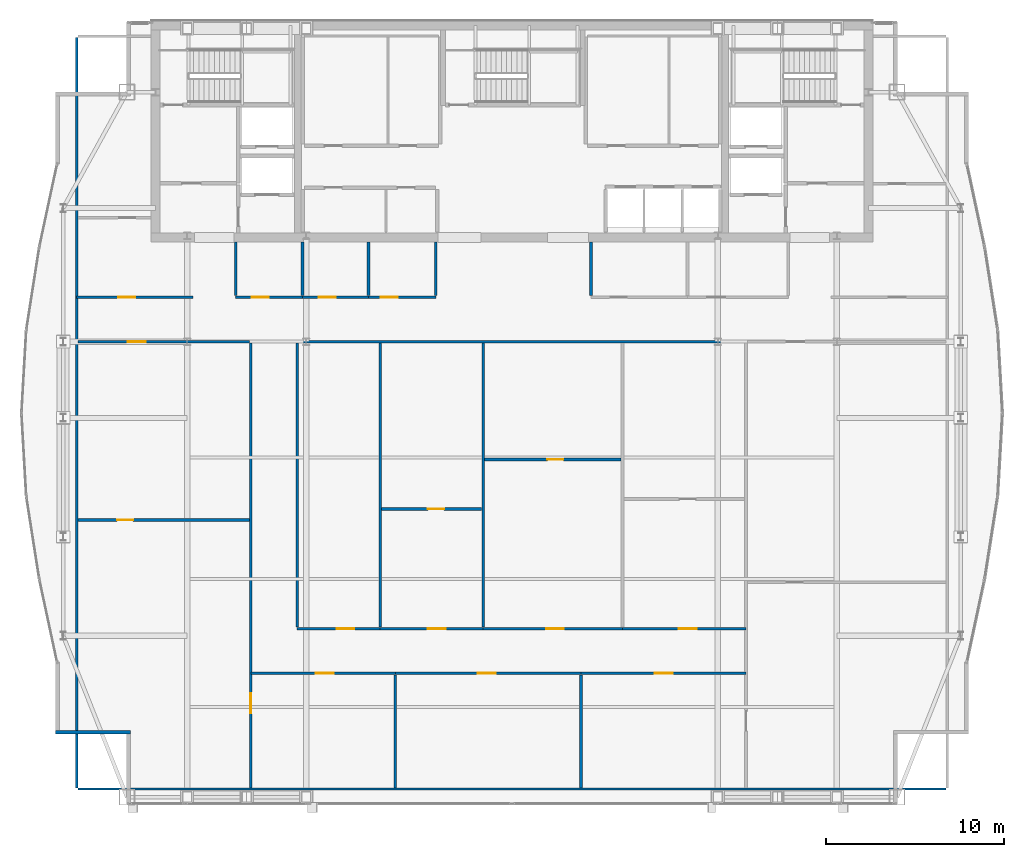
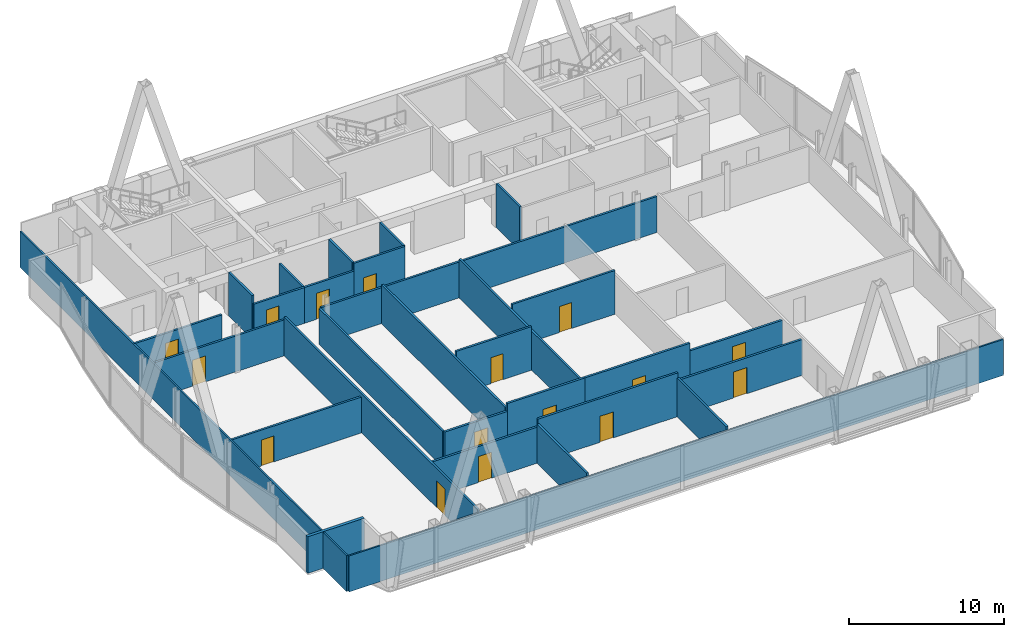
# One storey, part 24 of 29: 30 walls, 16 doors, 16 openings.
"""IFC4 building model written with IfcOpenShell, lengths in metres."""

from ifc_helpers import new_model, si_unit, direction, frame, frame_2d, origin, place, context, subcontext, project, spatial, rectangle, extrude, material, layer, layer_set, type_object, element, fill, save


model = new_model("IFC4")

# Units and contexts
model_context = context("Model", 3, precision=1e-05, world=origin(), true_north=direction((0.0, 1.0)))
body_context = subcontext(model_context, "Body", "Model", "MODEL_VIEW")
ifc_project = project(units=[si_unit("LENGTHUNIT", "METRE"), si_unit("AREAUNIT", "SQUARE_METRE"), si_unit("VOLUMEUNIT", "CUBIC_METRE"), si_unit("PLANEANGLEUNIT", "RADIAN"), si_unit("MASSUNIT", "GRAM", prefix="KILO")], contexts=[model_context])

# Site, building, storey
site_placement = place(None, origin())
site = spatial("IfcSite", under=ifc_project, at=site_placement, CompositionType="ELEMENT")
building_placement = place(site_placement, origin())
building = spatial("IfcBuilding", under=site, at=building_placement, Name="Khoronbel Lancet Exchange", CompositionType="ELEMENT")
storey_placement = place(building_placement, frame((0.0, 0.0, 314.60009765625)))
storey = spatial("IfcBuildingStorey", under=building, at=storey_placement, Name="L81", CompositionType="ELEMENT", Elevation=314.60009765625)

# Walls
ifc_material_1 = material(Name="Precast concrete C40/50", Category="concrete")
ifc_layer_1 = layer(ifc_material_1, 0.25, Name="Precast concrete C40/50")
ifc_layer_set_1 = layer_set([ifc_layer_1], Name="Precast concrete C40/50")
wall_type_1 = type_object("IfcWallType", Name="WL-EXT250", PredefinedType="SOLIDWALL", material=ifc_layer_set_1)
wall_1_placement = place(storey_placement, frame((15.050048828125, 13.7900390625, 0.0), z_axis=(0.0, 0.0, 1.0), x_axis=(-1.0, 0.0, 0.0)))
element("IfcWall", 1, at=wall_1_placement, inside=storey, type_object=wall_type_1, Name="Level L81 notched-corner limestone pier 02", PredefinedType="SOLIDWALL", context=body_context, shape_type="SweptSolid", body=[
    extrude(rectangle(XDim=4.219970703125, YDim=0.219970703125, at=frame_2d((2.10986328125, 0.0))), origin(), (0.0, 0.0, 1.0), 2.8798828125),
])
ifc_material_2 = material(Name="Acoustic Metal-Stud & Mineral-Wool Gypsum Partition 120 mm", Category="gypsum")
ifc_layer_2 = layer(ifc_material_2, 0.1201171875, Name="Acoustic Metal-Stud & Mineral-Wool Gypsum Partition 120 mm")
ifc_layer_set_2 = layer_set([ifc_layer_2], Name="Acoustic Metal-Stud & Mineral-Wool Gypsum Partition 120 mm")
wall_type_2 = type_object("IfcWallType", Name="WL-PRT120", PredefinedType="PARTITIONING", material=ifc_layer_set_2)
wall_2_placement = place(storey_placement, frame((20.949951171875, 38.280029296875, 0.0), z_axis=(0.0, 0.0, 1.0), x_axis=(0.0, 1.0, 0.0)))
element("IfcWall", 2, at=wall_2_placement, inside=storey, type_object=wall_type_2, Name="Level L81 interior partition PW-WC-0", PredefinedType="PARTITIONING", context=body_context, shape_type="SweptSolid", body=[
    extrude(rectangle(XDim=3.02001953125, YDim=0.14990234375, at=frame_2d((1.510009765625, 0.0))), origin(), (0.0, 0.0, 1.0), 3.43994140625),
])
wall_3_placement = place(storey_placement, frame((24.699951171875, 38.280029296875, 0.0), z_axis=(0.0, 0.0, 1.0), x_axis=(0.0, 1.0, 0.0)))
element("IfcWall", 3, at=wall_3_placement, inside=storey, type_object=wall_type_2, Name="Level L81 interior partition PW-WC-1", PredefinedType="PARTITIONING", context=body_context, shape_type="SweptSolid", body=[
    extrude(rectangle(XDim=3.02001953125, YDim=0.14990234375, at=frame_2d((1.510009765625, 0.0))), origin(), (0.0, 0.0, 1.0), 2.829833984375),
])
for number, where, z_axis, x_axis, name in (
    (4, (28.39990234375, 38.280029296875, 0.0), (0.0, 0.0, 1.0), (0.0, 1.0, 0.0), "Level L81 interior partition PW-WC-2"),
    (5, (32.179931640625, 38.280029296875, 0.0), (0.0, 0.0, 1.0), (0.0, 1.0, 0.0), "Level L81 interior partition PW-WC-3"),
    (6, (40.8798828125, 38.280029296875, 0.0), (0.0, 0.0, 1.0), (0.0, 1.0, 0.0), "Level L81 interior partition PW-NP-0"),
):
    element("IfcWall", number, at=place(storey_placement, frame(where, z_axis=z_axis, x_axis=x_axis)), inside=storey, type_object=wall_type_2, Name=name, PredefinedType="PARTITIONING", context=body_context, shape_type="SweptSolid", body=[
        extrude(rectangle(XDim=3.02001953125, YDim=0.14990234375, at=frame_2d((1.510009765625, 0.0))), origin(), (0.0, 0.0, 1.0), 3.43994140625),
    ])

# Wall, opening, door
wall_4_placement = place(storey_placement, frame((12.094970703125, 25.699951171875, 0.0), z_axis=(0.0, 0.0, 1.0), x_axis=(1.0, 0.0, 0.0)))
wall_4 = element("IfcWall", 7, at=wall_4_placement, inside=storey, type_object=wall_type_2, Name="Level L81 interior partition PW-Z4-WH", PredefinedType="PARTITIONING", context=body_context, shape_type="SweptSolid", body=[
    extrude(rectangle(XDim=9.625, YDim=0.14990234375, at=frame_2d((4.8125, 0.0))), origin(), (0.0, 0.0, 1.0), 2.829833984375),
])
opening_1_placement = place(wall_4_placement, frame((2.199951171875, 0.0, 0.0)))
opening_1 = element("IfcOpeningElement", 8, at=opening_1_placement, cuts=wall_4, Name="Opening D5", PredefinedType="OPENING", context=body_context, shape_type="SweptSolid", body=[
    extrude(rectangle(XDim=0.89990234375, YDim=2.050048828125, at=frame_2d((0.449951171875, 1.02490234375))), frame((0.0, 0.0849609375, 0.0), z_axis=(0.0, -1.0, 0.0), x_axis=(1.0, 0.0, 0.0)), (0.0, 0.0, 1.0), 0.169921875),
])
ifc_material_3 = material(Name="Acoustic Timber Pantry & Support Door", Category="wood")
door_type_1 = type_object("IfcDoorType", Name="DR-D5", OperationType="NOTDEFINED", PredefinedType="DOOR", material=ifc_material_3)
door_1_placement = place(opening_1_placement, origin())
door_1 = element("IfcDoor", 9, at=door_1_placement, inside=storey, type_object=door_type_1, Name="West lens inner door L81-1", OperationType="SINGLE_SWING_RIGHT", OverallHeight=2.050048828125, OverallWidth=0.89990234375, PredefinedType="DOOR", context=body_context, shape_type="SweptSolid", body=[
    extrude(rectangle(XDim=0.89990234375, YDim=2.050048828125, at=frame_2d((0.449951171875, 1.02490234375))), frame((0.0, 0.02490234375, 0.0), z_axis=(0.0, -1.0, 0.0), x_axis=(1.0, 0.0, 0.0)), (0.0, 0.0, 1.0), 0.050048828125),
])
fill(opening_1, door_1)

wall_5_placement = place(storey_placement, frame((29.13623046875, 26.317138671875, 0.0), z_axis=(0.0, 0.0, 1.0), x_axis=(1.0, 0.0, 0.0)))
wall_5 = element("IfcWall", 10, at=wall_5_placement, inside=storey, type_object=wall_type_2, Name="Level L81 interior partition PW-Z4C-H2", PredefinedType="PARTITIONING", context=body_context, shape_type="SweptSolid", body=[
    extrude(rectangle(XDim=5.615234375, YDim=0.14990234375, at=frame_2d((2.8076171875, 0.0))), origin(), (0.0, 0.0, 1.0), 3.43994140625),
])
opening_2_placement = place(wall_5_placement, frame((2.598876953125, 0.0, 0.0)))
opening_2 = element("IfcOpeningElement", 11, at=opening_2_placement, cuts=wall_5, Name="Opening D5", PredefinedType="OPENING", context=body_context, shape_type="SweptSolid", body=[
    extrude(rectangle(XDim=0.89990234375, YDim=2.050048828125, at=frame_2d((0.449951171875, 1.02490234375))), frame((0.0, 0.0849609375, 0.0), z_axis=(0.0, -1.0, 0.0), x_axis=(1.0, 0.0, 0.0)), (0.0, 0.0, 1.0), 0.169921875),
])
door_2_placement = place(opening_2_placement, origin())
door_2 = element("IfcDoor", 12, at=door_2_placement, inside=storey, type_object=door_type_1, Name="Z4C inner door 2 L81-1", OperationType="SINGLE_SWING_RIGHT", OverallHeight=2.050048828125, OverallWidth=0.89990234375, PredefinedType="DOOR", context=body_context, shape_type="SweptSolid", body=[
    extrude(rectangle(XDim=0.89990234375, YDim=2.050048828125, at=frame_2d((0.449951171875, 1.02490234375))), frame((0.0, 0.02490234375, 0.0), z_axis=(0.0, -1.0, 0.0), x_axis=(1.0, 0.0, 0.0)), (0.0, 0.0, 1.0), 0.050048828125),
])
fill(opening_2, door_2)

wall_6_placement = place(storey_placement, frame((34.91162109375, 29.090087890625, 0.0), z_axis=(0.0, 0.0, 1.0), x_axis=(1.0, 0.0, 0.0)))
wall_6 = element("IfcWall", 13, at=wall_6_placement, inside=storey, type_object=wall_type_2, Name="Level L81 interior partition PW-Z4C-H3", PredefinedType="PARTITIONING", context=body_context, shape_type="SweptSolid", body=[
    extrude(rectangle(XDim=7.657958984375, YDim=0.14990234375, at=frame_2d((3.8291015625, 0.0))), origin(), (0.0, 0.0, 1.0), 3.43994140625),
])
opening_3_placement = place(wall_6_placement, frame((3.518310546875, 0.0, 0.0)))
opening_3 = element("IfcOpeningElement", 14, at=opening_3_placement, cuts=wall_6, Name="Opening D5", PredefinedType="OPENING", context=body_context, shape_type="SweptSolid", body=[
    extrude(rectangle(XDim=0.89990234375, YDim=2.050048828125, at=frame_2d((0.449951171875, 1.02490234375))), frame((0.0, 0.0849609375, 0.0), z_axis=(0.0, -1.0, 0.0), x_axis=(1.0, 0.0, 0.0)), (0.0, 0.0, 1.0), 0.169921875),
])
door_3_placement = place(opening_3_placement, origin())
door_3 = element("IfcDoor", 15, at=door_3_placement, inside=storey, type_object=door_type_1, Name="Z4C inner door 3 L81-1", OperationType="SINGLE_SWING_RIGHT", OverallHeight=2.050048828125, OverallWidth=0.89990234375, PredefinedType="DOOR", context=body_context, shape_type="SweptSolid", body=[
    extrude(rectangle(XDim=0.89990234375, YDim=2.050048828125, at=frame_2d((0.449951171875, 1.02490234375))), frame((0.0, 0.02490234375, 0.0), z_axis=(0.0, -1.0, 0.0), x_axis=(1.0, 0.0, 0.0)), (0.0, 0.0, 1.0), 0.050048828125),
])
fill(opening_3, door_3)

# Walls
wall_7_placement = place(storey_placement, frame((12.030029296875, 10.6650390625, 0.0), z_axis=(0.0, 0.0, 1.0), x_axis=(0.0, 1.0, 0.0)))
element("IfcWall", 16, at=wall_7_placement, inside=storey, type_object=wall_type_2, Name="Level L81 interior partition PW-LIN-W", PredefinedType="PARTITIONING", context=body_context, shape_type="SweptSolid", body=[
    extrude(rectangle(XDim=42.10986328125, YDim=0.1201171875, at=frame_2d((21.054931640625, 0.0))), origin(), (0.0, 0.0, 1.0), 2.829833984375),
])
wall_8_placement = place(storey_placement, frame((12.094970703125, 10.60009765625, 0.0), z_axis=(0.0, 0.0, 1.0), x_axis=(1.0, 0.0, 0.0)))
element("IfcWall", 17, at=wall_8_placement, inside=storey, type_object=wall_type_2, Name="Level L81 interior partition PW-LIN-S", PredefinedType="PARTITIONING", context=body_context, shape_type="SweptSolid", body=[
    extrude(rectangle(XDim=48.7099609375, YDim=0.1201171875, at=frame_2d((24.35498046875, 0.0))), origin(), (0.0, 0.0, 1.0), 2.829833984375),
])

# Wall, opening, door
ifc_material_4 = material(Name="Fire-Rated Twin-Stud Acoustic Gypsum Partition 150 mm", Category="gypsum")
ifc_layer_3 = layer(ifc_material_4, 0.14990234375, Name="Fire-Rated Twin-Stud Acoustic Gypsum Partition 150 mm")
ifc_layer_set_3 = layer_set([ifc_layer_3], Name="Fire-Rated Twin-Stud Acoustic Gypsum Partition 150 mm")
wall_type_3 = type_object("IfcWallType", Name="WL-PRT150C", PredefinedType="PARTITIONING", material=ifc_layer_set_3)
wall_9_placement = place(storey_placement, frame((20.949951171875, 38.199951171875, 0.0), z_axis=(0.0, 0.0, 1.0), x_axis=(1.0, 0.0, 0.0)))
wall_9 = element("IfcWall", 18, at=wall_9_placement, inside=storey, type_object=wall_type_3, Name="Level L81 interior partition PW-WC-S1", PredefinedType="PARTITIONING", context=body_context, shape_type="SweptSolid", body=[
    extrude(rectangle(XDim=3.75, YDim=0.14990234375, at=frame_2d((1.875, 0.0))), origin(), (0.0, 0.0, 1.0), 2.829833984375),
])
opening_4_placement = place(wall_9_placement, frame((0.89990234375, 0.0, 0.0)))
opening_4 = element("IfcOpeningElement", 19, at=opening_4_placement, cuts=wall_9, Name="Opening D4", PredefinedType="OPENING", context=body_context, shape_type="SweptSolid", body=[
    extrude(rectangle(XDim=0.949951171875, YDim=2.050048828125, at=frame_2d((0.47509765625, 1.02490234375))), frame((0.0, 0.0849609375, 0.0), z_axis=(0.0, -1.0, 0.0), x_axis=(1.0, 0.0, 0.0)), (0.0, 0.0, 1.0), 0.169921875),
])
ifc_material_5 = material(Name="Moisture-Resistant HPL Washroom Door", Category="wood")
door_type_2 = type_object("IfcDoorType", Name="DR-D4", OperationType="NOTDEFINED", PredefinedType="DOOR", material=ifc_material_5)
door_4_placement = place(opening_4_placement, origin())
door_4 = element("IfcDoor", 20, at=door_4_placement, inside=storey, type_object=door_type_2, Name="Male washroom door L81-1", OperationType="SINGLE_SWING_LEFT", OverallHeight=2.050048828125, OverallWidth=0.949951171875, PredefinedType="DOOR", context=body_context, shape_type="SweptSolid", body=[
    extrude(rectangle(XDim=0.949951171875, YDim=2.050048828125, at=frame_2d((0.47509765625, 1.02490234375))), frame((0.0, 0.02490234375, 0.0), z_axis=(0.0, -1.0, 0.0), x_axis=(1.0, 0.0, 0.0)), (0.0, 0.0, 1.0), 0.050048828125),
])
fill(opening_4, door_4)

wall_10_placement = place(storey_placement, frame((24.699951171875, 38.199951171875, 0.0), z_axis=(0.0, 0.0, 1.0), x_axis=(1.0, 0.0, 0.0)))
wall_10 = element("IfcWall", 21, at=wall_10_placement, inside=storey, type_object=wall_type_3, Name="Level L81 interior partition PW-WC-S2", PredefinedType="PARTITIONING", context=body_context, shape_type="SweptSolid", body=[
    extrude(rectangle(XDim=3.699951171875, YDim=0.14990234375, at=frame_2d((1.85009765625, 0.0))), origin(), (0.0, 0.0, 1.0), 2.829833984375),
])
opening_5_placement = place(wall_10_placement, frame((0.89990234375, 0.0, 0.0)))
opening_5 = element("IfcOpeningElement", 22, at=opening_5_placement, cuts=wall_10, Name="Opening D4", PredefinedType="OPENING", context=body_context, shape_type="SweptSolid", body=[
    extrude(rectangle(XDim=0.949951171875, YDim=2.050048828125, at=frame_2d((0.47509765625, 1.02490234375))), frame((0.0, 0.0849609375, 0.0), z_axis=(0.0, -1.0, 0.0), x_axis=(1.0, 0.0, 0.0)), (0.0, 0.0, 1.0), 0.169921875),
])
door_5_placement = place(opening_5_placement, origin())
door_5 = element("IfcDoor", 23, at=door_5_placement, inside=storey, type_object=door_type_2, Name="Female washroom door L81-1", OperationType="SINGLE_SWING_RIGHT", OverallHeight=2.050048828125, OverallWidth=0.949951171875, PredefinedType="DOOR", context=body_context, shape_type="SweptSolid", body=[
    extrude(rectangle(XDim=0.949951171875, YDim=2.050048828125, at=frame_2d((0.47509765625, 1.02490234375))), frame((0.0, 0.02490234375, 0.0), z_axis=(0.0, -1.0, 0.0), x_axis=(1.0, 0.0, 0.0)), (0.0, 0.0, 1.0), 0.050048828125),
])
fill(opening_5, door_5)

wall_11_placement = place(storey_placement, frame((28.39990234375, 38.199951171875, 0.0), z_axis=(0.0, 0.0, 1.0), x_axis=(1.0, 0.0, 0.0)))
wall_11 = element("IfcWall", 24, at=wall_11_placement, inside=storey, type_object=wall_type_3, Name="Level L81 interior partition PW-WC-S3", PredefinedType="PARTITIONING", context=body_context, shape_type="SweptSolid", body=[
    extrude(rectangle(XDim=3.780029296875, YDim=0.14990234375, at=frame_2d((1.89013671875, 0.0))), origin(), (0.0, 0.0, 1.0), 3.43994140625),
])
opening_6_placement = place(wall_11_placement, frame((0.699951171875, 0.0, 0.0)))
opening_6 = element("IfcOpeningElement", 25, at=opening_6_placement, cuts=wall_11, Name="Opening D4", PredefinedType="OPENING", context=body_context, shape_type="SweptSolid", body=[
    extrude(rectangle(XDim=0.949951171875, YDim=2.050048828125, at=frame_2d((0.47509765625, 1.02490234375))), frame((0.0, 0.0849609375, 0.0), z_axis=(0.0, -1.0, 0.0), x_axis=(1.0, 0.0, 0.0)), (0.0, 0.0, 1.0), 0.169921875),
])
door_6_placement = place(opening_6_placement, origin())
door_6 = element("IfcDoor", 26, at=door_6_placement, inside=storey, type_object=door_type_2, Name="Accessible WC door L81-1", OperationType="SINGLE_SWING_LEFT", OverallHeight=2.050048828125, OverallWidth=0.949951171875, PredefinedType="DOOR", context=body_context, shape_type="SweptSolid", body=[
    extrude(rectangle(XDim=0.949951171875, YDim=2.050048828125, at=frame_2d((0.47509765625, 1.02490234375))), frame((0.0, 0.02490234375, 0.0), z_axis=(0.0, -1.0, 0.0), x_axis=(1.0, 0.0, 0.0)), (0.0, 0.0, 1.0), 0.050048828125),
])
fill(opening_6, door_6)

wall_12_placement = place(storey_placement, frame((12.030029296875, 38.199951171875, 0.0), z_axis=(0.0, 0.0, 1.0), x_axis=(1.0, 0.0, 0.0)))
wall_12 = element("IfcWall", 27, at=wall_12_placement, inside=storey, type_object=wall_type_3, Name="Level L81 interior partition PW-NW-S", PredefinedType="PARTITIONING", context=body_context, shape_type="SweptSolid", body=[
    extrude(rectangle(XDim=6.52001953125, YDim=0.14990234375, at=frame_2d((3.260009765625, 0.0))), origin(), (0.0, 0.0, 1.0), 2.829833984375),
])
opening_7_placement = place(wall_12_placement, frame((2.320068359375, 0.0, 0.0)))
opening_7 = element("IfcOpeningElement", 28, at=opening_7_placement, cuts=wall_12, Name="Opening D1", PredefinedType="OPENING", context=body_context, shape_type="SweptSolid", body=[
    extrude(rectangle(XDim=0.949951171875, YDim=2.050048828125, at=frame_2d((0.47509765625, 1.02490234375))), frame((0.0, 0.0849609375, 0.0), z_axis=(0.0, -1.0, 0.0), x_axis=(1.0, 0.0, 0.0)), (0.0, 0.0, 1.0), 0.169921875),
])
ifc_material_6 = material(Name="Acoustic Veneered Timber & Bronze Frame Door", Category="wood")
door_type_3 = type_object("IfcDoorType", Name="DR-D1", OperationType="NOTDEFINED", PredefinedType="DOOR", material=ifc_material_6)
door_7_placement = place(opening_7_placement, origin())
door_7 = element("IfcDoor", 29, at=door_7_placement, inside=storey, type_object=door_type_3, Name="NW corner room door L81-1", OperationType="SINGLE_SWING_RIGHT", OverallHeight=2.050048828125, OverallWidth=0.949951171875, PredefinedType="DOOR", context=body_context, shape_type="SweptSolid", body=[
    extrude(rectangle(XDim=0.949951171875, YDim=2.050048828125, at=frame_2d((0.47509765625, 1.02490234375))), frame((0.0, 0.02490234375, 0.0), z_axis=(0.0, -1.0, 0.0), x_axis=(1.0, 0.0, 0.0)), (0.0, 0.0, 1.0), 0.050048828125),
])
fill(opening_7, door_7)

wall_13_placement = place(storey_placement, frame((21.800048828125, 10.6650390625, 0.0), z_axis=(0.0, 0.0, 1.0), x_axis=(0.0, 1.0, 0.0)))
wall_13 = element("IfcWall", 30, at=wall_13_placement, inside=storey, type_object=wall_type_3, Name="Level L81 interior partition PW-Z4-WW", PredefinedType="PARTITIONING", context=body_context, shape_type="SweptSolid", body=[
    extrude(rectangle(XDim=24.955078125, YDim=0.14990234375, at=frame_2d((12.4775390625, 0.0))), origin(), (0.0, 0.0, 1.0), 3.06982421875),
])
opening_8_placement = place(wall_13_placement, frame((4.199951171875, 0.0, 0.0)))
opening_8 = element("IfcOpeningElement", 31, at=opening_8_placement, cuts=wall_13, Name="Opening D6", PredefinedType="OPENING", context=body_context, shape_type="SweptSolid", body=[
    extrude(rectangle(XDim=1.10009765625, YDim=2.10009765625, at=frame_2d((0.550048828125, 1.050048828125))), frame((0.0, 0.0849609375, 0.0), z_axis=(0.0, -1.0, 0.0), x_axis=(1.0, 0.0, 0.0)), (0.0, 0.0, 1.0), 0.169921875),
])
ifc_material_7 = material(Name="Acoustic Bronze-Veneer Executive Suite Door", Category="wood")
door_type_4 = type_object("IfcDoorType", Name="DR-D6", OperationType="NOTDEFINED", PredefinedType="DOOR", material=ifc_material_7)
door_8_placement = place(opening_8_placement, origin())
door_8 = element("IfcDoor", 32, at=door_8_placement, inside=storey, type_object=door_type_4, Name="West lens presidential door L81-1", OperationType="SINGLE_SWING_RIGHT", OverallHeight=2.10009765625, OverallWidth=1.10009765625, PredefinedType="DOOR", context=body_context, shape_type="SweptSolid", body=[
    extrude(rectangle(XDim=1.10009765625, YDim=2.10009765625, at=frame_2d((0.550048828125, 1.050048828125))), frame((0.0, 0.02490234375, 0.0), z_axis=(0.0, -1.0, 0.0), x_axis=(1.0, 0.0, 0.0)), (0.0, 0.0, 1.0), 0.050048828125),
])
fill(opening_8, door_8)

wall_14_placement = place(storey_placement, frame((12.094970703125, 35.699951171875, 0.0), z_axis=(0.0, 0.0, 1.0), x_axis=(1.0, 0.0, 0.0)))
wall_14 = element("IfcWall", 33, at=wall_14_placement, inside=storey, type_object=wall_type_3, Name="Level L81 interior partition PW-Z4-WN", PredefinedType="PARTITIONING", context=body_context, shape_type="SweptSolid", body=[
    extrude(rectangle(XDim=9.625, YDim=0.14990234375, at=frame_2d((4.8125, 0.0))), origin(), (0.0, 0.0, 1.0), 2.829833984375),
])
opening_9_placement = place(wall_14_placement, frame((2.800048828125, 0.0, 0.0)))
opening_9 = element("IfcOpeningElement", 34, at=opening_9_placement, cuts=wall_14, Name="Opening D2", PredefinedType="OPENING", context=body_context, shape_type="SweptSolid", body=[
    extrude(rectangle(XDim=1.0, YDim=2.050048828125, at=frame_2d((0.5, 1.02490234375))), frame((0.0, 0.0849609375, 0.0), z_axis=(0.0, -1.0, 0.0), x_axis=(1.0, 0.0, 0.0)), (0.0, 0.0, 1.0), 0.169921875),
])
door_type_5 = type_object("IfcDoorType", Name="DR-D2", OperationType="NOTDEFINED", PredefinedType="DOOR", material=ifc_material_6)
door_9_placement = place(opening_9_placement, origin())
door_9 = element("IfcDoor", 35, at=door_9_placement, inside=storey, type_object=door_type_5, Name="West lens north door L81-1", OperationType="SINGLE_SWING_LEFT", OverallHeight=2.050048828125, OverallWidth=1.0, PredefinedType="DOOR", context=body_context, shape_type="SweptSolid", body=[
    extrude(rectangle(XDim=1.0, YDim=2.050048828125, at=frame_2d((0.5, 1.02490234375))), frame((0.0, 0.02490234375, 0.0), z_axis=(0.0, -1.0, 0.0), x_axis=(1.0, 0.0, 0.0)), (0.0, 0.0, 1.0), 0.050048828125),
])
fill(opening_9, door_9)

# Walls
wall_15_placement = place(storey_placement, frame((24.39990234375, 19.68505859375, 0.0), z_axis=(0.0, 0.0, 1.0), x_axis=(0.0, 1.0, 0.0)))
element("IfcWall", 36, at=wall_15_placement, inside=storey, type_object=wall_type_3, Name="Level L81 interior partition PW-Z4-WE", PredefinedType="PARTITIONING", context=body_context, shape_type="SweptSolid", body=[
    extrude(rectangle(XDim=15.93505859375, YDim=0.14990234375, at=frame_2d((7.967529296875, 0.0))), origin(), (0.0, 0.0, 1.0), 2.829833984375),
])
wall_16_placement = place(storey_placement, frame((24.47998046875, 35.699951171875, 0.0), z_axis=(0.0, 0.0, 1.0), x_axis=(1.0, 0.0, 0.0)))
element("IfcWall", 37, at=wall_16_placement, inside=storey, type_object=wall_type_3, Name="Level L81 interior partition PW-Z4-EN1", PredefinedType="PARTITIONING", context=body_context, shape_type="SweptSolid", body=[
    extrude(rectangle(XDim=25.02001953125, YDim=0.14990234375, at=frame_2d((12.510009765625, 0.0))), origin(), (0.0, 0.0, 1.0), 2.829833984375),
])
for number, where, z_axis, x_axis, name in (
    (38, (29.056396484375, 19.68505859375, 0.0), (0.0, 0.0, 1.0), (0.0, 1.0, 0.0), "Level L81 interior partition PW-Z4C-V1"),
    (39, (34.83154296875, 19.68505859375, 0.0), (0.0, 0.0, 1.0), (0.0, 1.0, 0.0), "Level L81 interior partition PW-Z4C-V2"),
):
    element("IfcWall", number, at=place(storey_placement, frame(where, z_axis=z_axis, x_axis=x_axis)), inside=storey, type_object=wall_type_3, Name=name, PredefinedType="PARTITIONING", context=body_context, shape_type="SweptSolid", body=[
        extrude(rectangle(XDim=15.93505859375, YDim=0.14990234375, at=frame_2d((7.967529296875, 0.0))), origin(), (0.0, 0.0, 1.0), 3.06982421875),
    ])
for number, where, z_axis, x_axis, name in (
    (40, (29.902587890625, 10.6650390625, 0.0), (0.0, 0.0, 1.0), (0.0, 1.0, 0.0), "Level L81 interior partition PW-Z4S-V1"),
    (41, (40.320068359375, 10.6650390625, 0.0), (0.0, 0.0, 1.0), (0.0, 1.0, 0.0), "Level L81 interior partition PW-Z4S-V2"),
):
    element("IfcWall", number, at=place(storey_placement, frame(where, z_axis=z_axis, x_axis=x_axis)), inside=storey, type_object=wall_type_3, Name=name, PredefinedType="PARTITIONING", context=body_context, shape_type="SweptSolid", body=[
        extrude(rectangle(XDim=6.349853515625, YDim=0.14990234375, at=frame_2d((3.1748046875, 0.0))), origin(), (0.0, 0.0, 1.0), 3.06982421875),
    ])

# Wall, opening, door
ifc_material_8 = material(Name="Fire-Rated Twin-Stud Acoustic Gypsum Partition 160 mm", Category="gypsum")
ifc_layer_4 = layer(ifc_material_8, 0.159912109375, Name="Fire-Rated Twin-Stud Acoustic Gypsum Partition 160 mm")
ifc_layer_set_4 = layer_set([ifc_layer_4], Name="Fire-Rated Twin-Stud Acoustic Gypsum Partition 160 mm")
wall_type_4 = type_object("IfcWallType", Name="WL-PRT160C", PredefinedType="PARTITIONING", material=ifc_layer_set_4)
wall_17_placement = place(storey_placement, frame((24.39990234375, 19.60009765625, 0.0), z_axis=(0.0, 0.0, 1.0), x_axis=(1.0, 0.0, 0.0)))
wall_17 = element("IfcWall", 42, at=wall_17_placement, inside=storey, type_object=wall_type_4, Name="Level L81 interior partition PW-Z4C-COR1", PredefinedType="PARTITIONING", context=body_context, shape_type="SweptSolid", body=[
    extrude(rectangle(XDim=4.656494140625, YDim=0.159912109375, at=frame_2d((2.328125, 0.0))), origin(), (0.0, 0.0, 1.0), 2.829833984375),
])
opening_10_placement = place(wall_17_placement, frame((2.20556640625, 0.0, 0.0)))
opening_10 = element("IfcOpeningElement", 43, at=opening_10_placement, cuts=wall_17, Name="Opening D2", PredefinedType="OPENING", context=body_context, shape_type="SweptSolid", body=[
    extrude(rectangle(XDim=1.0, YDim=2.050048828125, at=frame_2d((0.5, 1.02490234375))), frame((0.0, 0.08984375, 0.0), z_axis=(0.0, -1.0, 0.0), x_axis=(1.0, 0.0, 0.0)), (0.0, 0.0, 1.0), 0.179931640625),
])
door_10_placement = place(opening_10_placement, origin())
door_10 = element("IfcDoor", 44, at=door_10_placement, inside=storey, type_object=door_type_5, Name="Z4C bay 1 door L81-1", OperationType="SINGLE_SWING_RIGHT", OverallHeight=2.050048828125, OverallWidth=1.0, PredefinedType="DOOR", context=body_context, shape_type="SweptSolid", body=[
    extrude(rectangle(XDim=1.0, YDim=2.050048828125, at=frame_2d((0.5, 1.02490234375))), frame((0.0, 0.02490234375, 0.0), z_axis=(0.0, -1.0, 0.0), x_axis=(1.0, 0.0, 0.0)), (0.0, 0.0, 1.0), 0.050048828125),
])
fill(opening_10, door_10)

wall_18_placement = place(storey_placement, frame((29.056396484375, 19.60009765625, 0.0), z_axis=(0.0, 0.0, 1.0), x_axis=(1.0, 0.0, 0.0)))
wall_18 = element("IfcWall", 45, at=wall_18_placement, inside=storey, type_object=wall_type_4, Name="Level L81 interior partition PW-Z4C-COR2", PredefinedType="PARTITIONING", context=body_context, shape_type="SweptSolid", body=[
    extrude(rectangle(XDim=5.775146484375, YDim=0.159912109375, at=frame_2d((2.8876953125, 0.0))), origin(), (0.0, 0.0, 1.0), 3.43994140625),
])
opening_11_placement = place(wall_18_placement, frame((2.675537109375, 0.0, 0.0)))
opening_11 = element("IfcOpeningElement", 46, at=opening_11_placement, cuts=wall_18, Name="Opening D2", PredefinedType="OPENING", context=body_context, shape_type="SweptSolid", body=[
    extrude(rectangle(XDim=1.0, YDim=2.050048828125, at=frame_2d((0.5, 1.02490234375))), frame((0.0, 0.08984375, 0.0), z_axis=(0.0, -1.0, 0.0), x_axis=(1.0, 0.0, 0.0)), (0.0, 0.0, 1.0), 0.179931640625),
])
door_11_placement = place(opening_11_placement, origin())
door_11 = element("IfcDoor", 47, at=door_11_placement, inside=storey, type_object=door_type_5, Name="Z4C bay 2 door L81-1", OperationType="SINGLE_SWING_LEFT", OverallHeight=2.050048828125, OverallWidth=1.0, PredefinedType="DOOR", context=body_context, shape_type="SweptSolid", body=[
    extrude(rectangle(XDim=1.0, YDim=2.050048828125, at=frame_2d((0.5, 1.02490234375))), frame((0.0, 0.02490234375, 0.0), z_axis=(0.0, -1.0, 0.0), x_axis=(1.0, 0.0, 0.0)), (0.0, 0.0, 1.0), 0.050048828125),
])
fill(opening_11, door_11)

wall_19_placement = place(storey_placement, frame((34.83154296875, 19.60009765625, 0.0), z_axis=(0.0, 0.0, 1.0), x_axis=(1.0, 0.0, 0.0)))
wall_19 = element("IfcWall", 48, at=wall_19_placement, inside=storey, type_object=wall_type_4, Name="Level L81 interior partition PW-Z4C-COR3", PredefinedType="PARTITIONING", context=body_context, shape_type="SweptSolid", body=[
    extrude(rectangle(XDim=7.818115234375, YDim=0.159912109375, at=frame_2d((3.9091796875, 0.0))), origin(), (0.0, 0.0, 1.0), 3.43994140625),
])
opening_12_placement = place(wall_19_placement, frame((3.53369140625, 0.0, 0.0)))
opening_12 = element("IfcOpeningElement", 49, at=opening_12_placement, cuts=wall_19, Name="Opening D2", PredefinedType="OPENING", context=body_context, shape_type="SweptSolid", body=[
    extrude(rectangle(XDim=1.0, YDim=2.050048828125, at=frame_2d((0.5, 1.02490234375))), frame((0.0, 0.08984375, 0.0), z_axis=(0.0, -1.0, 0.0), x_axis=(1.0, 0.0, 0.0)), (0.0, 0.0, 1.0), 0.179931640625),
])
door_12_placement = place(opening_12_placement, origin())
door_12 = element("IfcDoor", 50, at=door_12_placement, inside=storey, type_object=door_type_5, Name="Z4C bay 3 door L81-1", OperationType="SINGLE_SWING_LEFT", OverallHeight=2.050048828125, OverallWidth=1.0, PredefinedType="DOOR", context=body_context, shape_type="SweptSolid", body=[
    extrude(rectangle(XDim=1.0, YDim=2.050048828125, at=frame_2d((0.5, 1.02490234375))), frame((0.0, 0.02490234375, 0.0), z_axis=(0.0, -1.0, 0.0), x_axis=(1.0, 0.0, 0.0)), (0.0, 0.0, 1.0), 0.050048828125),
])
fill(opening_12, door_12)

wall_20_placement = place(storey_placement, frame((42.649658203125, 19.60009765625, 0.0), z_axis=(0.0, 0.0, 1.0), x_axis=(1.0, 0.0, 0.0)))
wall_20 = element("IfcWall", 51, at=wall_20_placement, inside=storey, type_object=wall_type_4, Name="Level L81 interior partition PW-Z4C-COR4", PredefinedType="PARTITIONING", context=body_context, shape_type="SweptSolid", body=[
    extrude(rectangle(XDim=6.930419921875, YDim=0.159912109375, at=frame_2d((3.46533203125, 0.0))), origin(), (0.0, 0.0, 1.0), 2.829833984375),
])
opening_13_placement = place(wall_20_placement, frame((3.16064453125, 0.0, 0.0)))
opening_13 = element("IfcOpeningElement", 52, at=opening_13_placement, cuts=wall_20, Name="Opening D2", PredefinedType="OPENING", context=body_context, shape_type="SweptSolid", body=[
    extrude(rectangle(XDim=1.0, YDim=2.050048828125, at=frame_2d((0.5, 1.02490234375))), frame((0.0, 0.08984375, 0.0), z_axis=(0.0, -1.0, 0.0), x_axis=(1.0, 0.0, 0.0)), (0.0, 0.0, 1.0), 0.179931640625),
])
door_13_placement = place(opening_13_placement, origin())
door_13 = element("IfcDoor", 53, at=door_13_placement, inside=storey, type_object=door_type_5, Name="Z4C bay 4 door L81-1", OperationType="SINGLE_SWING_LEFT", OverallHeight=2.050048828125, OverallWidth=1.0, PredefinedType="DOOR", context=body_context, shape_type="SweptSolid", body=[
    extrude(rectangle(XDim=1.0, YDim=2.050048828125, at=frame_2d((0.5, 1.02490234375))), frame((0.0, 0.02490234375, 0.0), z_axis=(0.0, -1.0, 0.0), x_axis=(1.0, 0.0, 0.0)), (0.0, 0.0, 1.0), 0.050048828125),
])
fill(opening_13, door_13)

wall_21_placement = place(storey_placement, frame((21.800048828125, 17.10009765625, 0.0), z_axis=(0.0, 0.0, 1.0), x_axis=(1.0, 0.0, 0.0)))
wall_21 = element("IfcWall", 54, at=wall_21_placement, inside=storey, type_object=wall_type_4, Name="Level L81 interior partition PW-Z4S-COR1", PredefinedType="PARTITIONING", context=body_context, shape_type="SweptSolid", body=[
    extrude(rectangle(XDim=8.1025390625, YDim=0.159912109375, at=frame_2d((4.05126953125, 0.0))), origin(), (0.0, 0.0, 1.0), 2.829833984375),
])
opening_14_placement = place(wall_21_placement, frame((3.653076171875, 0.0, 0.0)))
opening_14 = element("IfcOpeningElement", 55, at=opening_14_placement, cuts=wall_21, Name="Opening D2", PredefinedType="OPENING", context=body_context, shape_type="SweptSolid", body=[
    extrude(rectangle(XDim=1.0, YDim=2.050048828125, at=frame_2d((0.5, 1.02490234375))), frame((0.0, 0.08984375, 0.0), z_axis=(0.0, -1.0, 0.0), x_axis=(1.0, 0.0, 0.0)), (0.0, 0.0, 1.0), 0.179931640625),
])
door_14_placement = place(opening_14_placement, origin())
door_14 = element("IfcDoor", 56, at=door_14_placement, inside=storey, type_object=door_type_5, Name="Z4S bay 1 door L81-1", OperationType="SINGLE_SWING_LEFT", OverallHeight=2.050048828125, OverallWidth=1.0, PredefinedType="DOOR", context=body_context, shape_type="SweptSolid", body=[
    extrude(rectangle(XDim=1.0, YDim=2.050048828125, at=frame_2d((0.5, 1.02490234375))), frame((0.0, 0.02490234375, 0.0), z_axis=(0.0, -1.0, 0.0), x_axis=(1.0, 0.0, 0.0)), (0.0, 0.0, 1.0), 0.050048828125),
])
fill(opening_14, door_14)

wall_22_placement = place(storey_placement, frame((29.902587890625, 17.10009765625, 0.0), z_axis=(0.0, 0.0, 1.0), x_axis=(1.0, 0.0, 0.0)))
wall_22 = element("IfcWall", 57, at=wall_22_placement, inside=storey, type_object=wall_type_4, Name="Level L81 interior partition PW-Z4S-COR2", PredefinedType="PARTITIONING", context=body_context, shape_type="SweptSolid", body=[
    extrude(rectangle(XDim=10.41748046875, YDim=0.159912109375, at=frame_2d((5.208740234375, 0.0))), origin(), (0.0, 0.0, 1.0), 3.43994140625),
])
opening_15_placement = place(wall_22_placement, frame((4.62548828125, 0.0, 0.0)))
opening_15 = element("IfcOpeningElement", 58, at=opening_15_placement, cuts=wall_22, Name="Opening D2", PredefinedType="OPENING", context=body_context, shape_type="SweptSolid", body=[
    extrude(rectangle(XDim=1.0, YDim=2.050048828125, at=frame_2d((0.5, 1.02490234375))), frame((0.0, 0.08984375, 0.0), z_axis=(0.0, -1.0, 0.0), x_axis=(1.0, 0.0, 0.0)), (0.0, 0.0, 1.0), 0.179931640625),
])
door_15_placement = place(opening_15_placement, origin())
door_15 = element("IfcDoor", 59, at=door_15_placement, inside=storey, type_object=door_type_5, Name="Z4S bay 2 door L81-1", OperationType="SINGLE_SWING_RIGHT", OverallHeight=2.050048828125, OverallWidth=1.0, PredefinedType="DOOR", context=body_context, shape_type="SweptSolid", body=[
    extrude(rectangle(XDim=1.0, YDim=2.050048828125, at=frame_2d((0.5, 1.02490234375))), frame((0.0, 0.02490234375, 0.0), z_axis=(0.0, -1.0, 0.0), x_axis=(1.0, 0.0, 0.0)), (0.0, 0.0, 1.0), 0.050048828125),
])
fill(opening_15, door_15)

wall_23_placement = place(storey_placement, frame((40.320068359375, 17.10009765625, 0.0), z_axis=(0.0, 0.0, 1.0), x_axis=(1.0, 0.0, 0.0)))
wall_23 = element("IfcWall", 60, at=wall_23_placement, inside=storey, type_object=wall_type_4, Name="Level L81 interior partition PW-Z4S-COR3", PredefinedType="PARTITIONING", context=body_context, shape_type="SweptSolid", body=[
    extrude(rectangle(XDim=9.260009765625, YDim=0.159912109375, at=frame_2d((4.6298828125, 0.0))), origin(), (0.0, 0.0, 1.0), 2.829833984375),
])
opening_16_placement = place(wall_23_placement, frame((4.13916015625, 0.0, 0.0)))
opening_16 = element("IfcOpeningElement", 61, at=opening_16_placement, cuts=wall_23, Name="Opening D2", PredefinedType="OPENING", context=body_context, shape_type="SweptSolid", body=[
    extrude(rectangle(XDim=1.0, YDim=2.050048828125, at=frame_2d((0.5, 1.02490234375))), frame((0.0, 0.08984375, 0.0), z_axis=(0.0, -1.0, 0.0), x_axis=(1.0, 0.0, 0.0)), (0.0, 0.0, 1.0), 0.179931640625),
])
door_16_placement = place(opening_16_placement, origin())
door_16 = element("IfcDoor", 62, at=door_16_placement, inside=storey, type_object=door_type_5, Name="Z4S bay 3 door L81-1", OperationType="SINGLE_SWING_LEFT", OverallHeight=2.050048828125, OverallWidth=1.0, PredefinedType="DOOR", context=body_context, shape_type="SweptSolid", body=[
    extrude(rectangle(XDim=1.0, YDim=2.050048828125, at=frame_2d((0.5, 1.02490234375))), frame((0.0, 0.02490234375, 0.0), z_axis=(0.0, -1.0, 0.0), x_axis=(1.0, 0.0, 0.0)), (0.0, 0.0, 1.0), 0.050048828125),
])
fill(opening_16, door_16)

save(model, "model.ifc")
